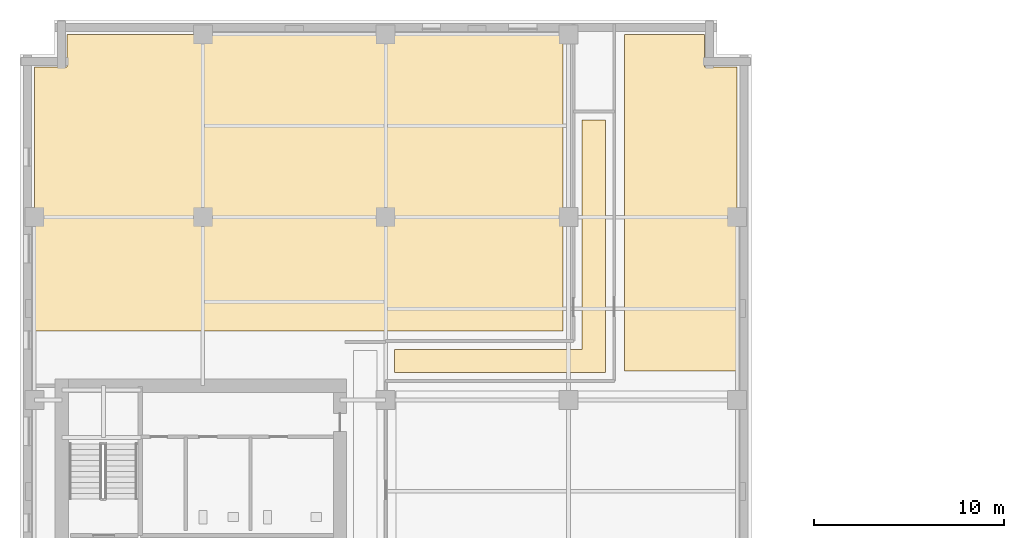
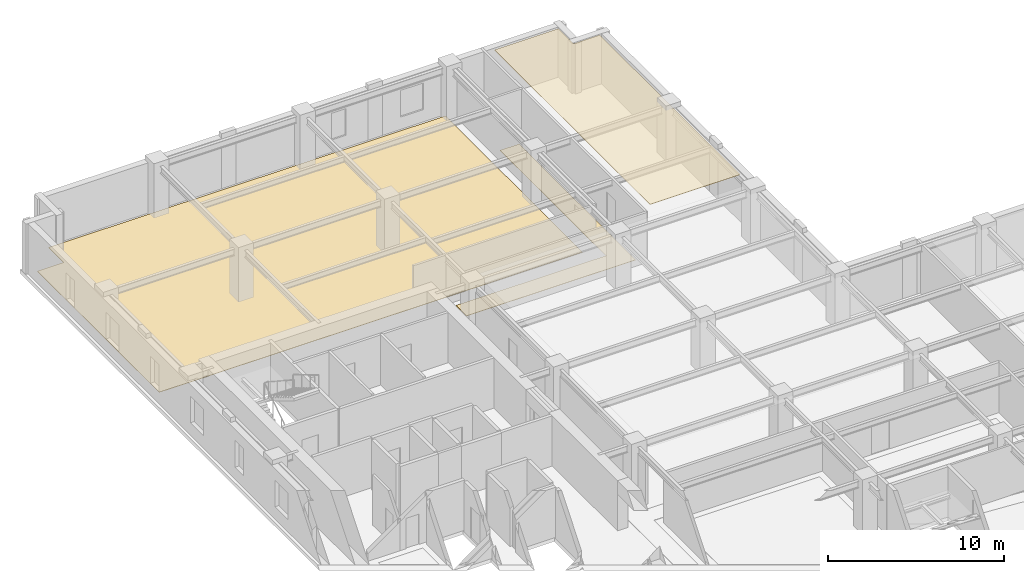
# One storey, part 11 of 12: 3 coverings.
"""IFC4 building model written with IfcOpenShell, lengths in metres."""

from ifc_helpers import new_model, si_unit, direction, frame, origin, place, context, subcontext, project, spatial, polyline, outline, extrude, material, layer, layer_set, type_object, element, save


model = new_model("IFC4")

# Units and contexts
model_context = context("Model", 3, precision=1e-05, world=origin(), true_north=direction((0.0, 1.0)))
body_context = subcontext(model_context, "Body", "Model", "MODEL_VIEW")
ifc_project = project(units=[si_unit("LENGTHUNIT", "METRE"), si_unit("AREAUNIT", "SQUARE_METRE"), si_unit("VOLUMEUNIT", "CUBIC_METRE"), si_unit("PLANEANGLEUNIT", "RADIAN"), si_unit("MASSUNIT", "GRAM", prefix="KILO")], contexts=[model_context])

# Site, building, storey
site_placement = place(None, origin())
site = spatial("IfcSite", under=ifc_project, at=site_placement, CompositionType="ELEMENT")
building_placement = place(site_placement, origin())
building = spatial("IfcBuilding", under=site, at=building_placement, Name="Norrvale University Quadrangle", CompositionType="ELEMENT")
storey_placement = place(building_placement, frame((0.0, 0.0, 147.0)))
storey = spatial("IfcBuildingStorey", under=building, at=storey_placement, Name="L37", CompositionType="ELEMENT", Elevation=147.0)

# Coverings
ifc_material_1 = material(Name="Perforated Acoustic Mineral Ceiling")
ifc_layer_1 = layer(ifc_material_1, 0.02490234375, Name="Perforated Acoustic Mineral Ceiling")
ifc_layer_set_1 = layer_set([ifc_layer_1], Name="Perforated Acoustic Mineral Ceiling")
covering_type_1 = type_object("IfcCoveringType", Name="Covering Acoustic Ceiling 25", PredefinedType="CEILING", material=ifc_layer_set_1)
covering_1_placement = place(storey_placement, frame((0.0, 0.0, 3.455078125)))
element("IfcCovering", 1, at=covering_1_placement, inside=storey, type_object=covering_type_1, Name="Acoustic Ceiling RM-L37-NE01", PredefinedType="CEILING", context=body_context, shape_type="SweptSolid", body=[
    extrude(outline(polyline([(37.64990234375, 48.780029296875), (31.72998046875, 48.780029296875), (31.72998046875, 66.449951171875), (35.929931640625, 66.449951171875), (35.929931640625, 64.72998046875), (37.64990234375, 64.72998046875), (37.64990234375, 48.780029296875)])), origin(), (0.0, 0.0, 1.0), 0.02490234375),
])
ifc_material_2 = material(Name="Polished Terrazzo Flooring")
ifc_layer_2 = layer(ifc_material_2, 0.02490234375, Name="Polished Terrazzo Flooring")
ifc_layer_set_2 = layer_set([ifc_layer_2], Name="Polished Terrazzo Flooring")
covering_type_2 = type_object("IfcCoveringType", Name="Covering Terrazzo Floor 30", PredefinedType="FLOORING", material=ifc_layer_set_2)
covering_2_placement = place(storey_placement, origin())
element("IfcCovering", 2, at=covering_2_placement, inside=storey, type_object=covering_type_2, Name="Terrazzo Flooring RM-L37-NCJOG", PredefinedType="FLOORING", context=body_context, shape_type="SweptSolid", body=[
    extrude(outline(polyline([(19.64990234375, 48.699951171875), (19.64990234375, 49.89990234375), (29.5, 49.89990234375), (29.5, 61.949951171875), (30.75, 61.949951171875), (30.75, 48.699951171875), (19.64990234375, 48.699951171875)])), origin(), (0.0, 0.0, 1.0), 0.02490234375),
])
covering_3_placement = place(storey_placement, origin())
element("IfcCovering", 3, at=covering_3_placement, inside=storey, type_object=covering_type_2, Name="Terrazzo Flooring RM-L37-NW01", PredefinedType="FLOORING", context=body_context, shape_type="SweptSolid", body=[
    extrude(outline(polyline([(28.52001953125, 66.449951171875), (28.52001953125, 50.8798828125), (0.75, 50.8798828125), (0.75, 64.72998046875), (2.469970703125, 64.72998046875), (2.469970703125, 66.449951171875), (28.52001953125, 66.449951171875)])), origin(), (0.0, 0.0, 1.0), 0.02490234375),
])

save(model, "model.ifc")
